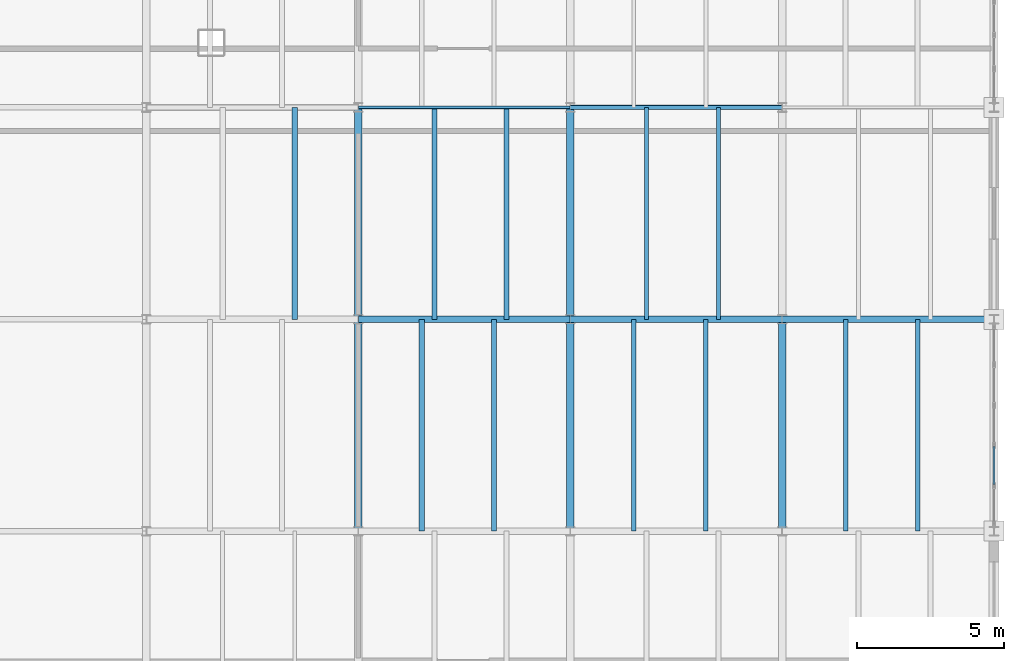
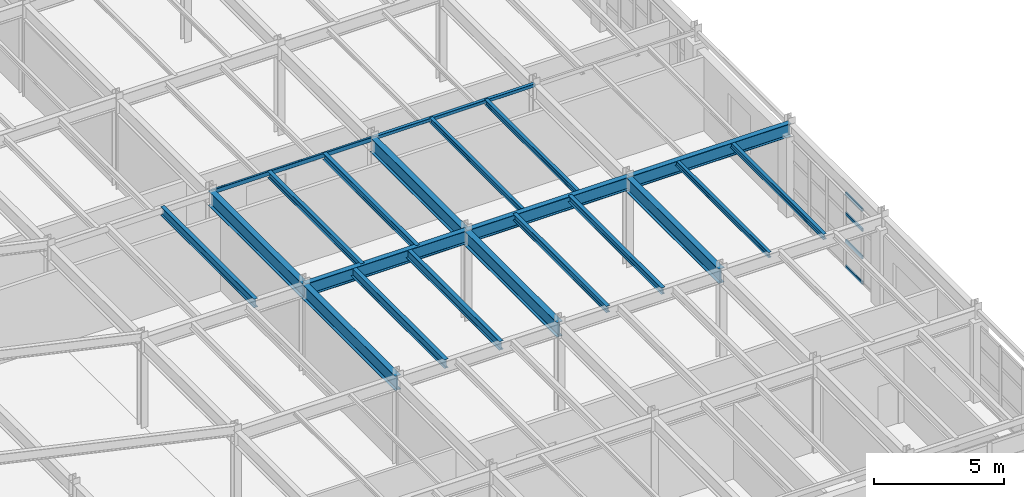
# One storey, part 96 of 137: 21 beams, 4 members, 1 element without a shape of its own.
"""IFC4 building model written with IfcOpenShell, lengths in metres."""

import ifcopenshell
import ifcopenshell.guid

model = None  # the IFC model being written
_history = None  # IfcOwnerHistory: only IFC2X3 demands one
_inside = {}  # id of a spatial element -> (the spatial element, [elements in it])
_under = {}  # id of a project, library or spatial element -> (it, [spatial elements below it])
_declared = {}  # id of a project -> (the project, [libraries it declares])
_typed = {}  # id of a type object -> (the type object, [elements of that type])
_made_of = {}  # id of a material, layer set ... -> (it, [elements and type objects made of it])


def new_model(schema):
    """Start an empty IFC model of exactly this schema.

    Asked for "IFC4X3", IfcOpenShell would pick the latest addendum, in which some entities
    have other attributes; the version numbers below select the first issue.
    IFC2X3 requires an IfcOwnerHistory on every rooted entity: one is made here for all.
    """
    global model, _history
    if schema == "IFC4X3":
        model = ifcopenshell.file(schema_version=(4, 3, 0, 0))
    else:
        model = ifcopenshell.file(schema=schema)
    _inside.clear()
    _under.clear()
    _declared.clear()
    _typed.clear()
    _made_of.clear()
    _history = None
    if model.schema == "IFC2X3":
        org = make("IfcOrganization", Name="unknown")
        user = make(
            "IfcPersonAndOrganization",
            ThePerson=make("IfcPerson", FamilyName="unknown"),
            TheOrganization=org,
        )
        app = make(
            "IfcApplication",
            ApplicationDeveloper=org,
            Version="unknown",
            ApplicationFullName="unknown",
            ApplicationIdentifier="unknown",
        )
        _history = make(
            "IfcOwnerHistory",
            OwningUser=user,
            OwningApplication=app,
            ChangeAction="ADDED",
            CreationDate=0,
        )
    return model


def make(cls, **values):
    """One entity of the class cls with the attributes given. An attribute that is None is left unset."""
    return model.create_entity(
        cls, **{name: value for name, value in values.items() if value is not None}
    )


def rooted(cls, **values):
    """An entity with a GlobalId (a new one), such as an element, a storey or a relation."""
    return make(cls, GlobalId=ifcopenshell.guid.new(), OwnerHistory=_history, **values)


def si_unit(unit_type, name, prefix=None):
    """IfcSIUnit, for example si_unit("LENGTHUNIT", "METRE", prefix="MILLI")."""
    return make("IfcSIUnit", UnitType=unit_type, Prefix=prefix, Name=name)


def assignment(units):
    """IfcUnitAssignment: the units of a project."""
    return None if units is None else make("IfcUnitAssignment", Units=units)


def point(xyz):
    """IfcCartesianPoint."""
    return None if xyz is None else make("IfcCartesianPoint", Coordinates=xyz)


def direction(xyz):
    """IfcDirection."""
    return None if xyz is None else make("IfcDirection", DirectionRatios=xyz)


def frame(location, z_axis=None, x_axis=None):
    """IfcAxis2Placement3D, a coordinate frame: its origin and axes. An axis left out is left unset."""
    return make(
        "IfcAxis2Placement3D",
        Location=point(location),
        Axis=direction(z_axis),
        RefDirection=direction(x_axis),
    )


def frame_2d(location, x_axis=None):
    """IfcAxis2Placement2D, a coordinate frame in the plane: its origin and x axis."""
    return make(
        "IfcAxis2Placement2D", Location=point(location), RefDirection=direction(x_axis)
    )


def origin():
    """The frame at (0, 0, 0) with its axes left unset."""
    return frame((0.0, 0.0, 0.0))


def origin_2d():
    """The frame at (0, 0) in the plane with its x axis left unset."""
    return frame_2d((0.0, 0.0))


def place(relative_to, where):
    """IfcLocalPlacement: puts the frame where relative to a parent placement (None: the world)."""
    return make(
        "IfcLocalPlacement", PlacementRelTo=relative_to, RelativePlacement=where
    )


def context(
    kind, dimensions, precision=None, world=None, true_north=None, identifier=None
):
    """IfcGeometricRepresentationContext, for example the 3D "Model" context."""
    return make(
        "IfcGeometricRepresentationContext",
        ContextIdentifier=identifier,
        ContextType=kind,
        CoordinateSpaceDimension=dimensions,
        Precision=precision,
        WorldCoordinateSystem=world,
        TrueNorth=true_north,
    )


def subcontext(parent, identifier, kind, view, scale=None):
    """IfcGeometricRepresentationSubContext, for example "Body" below "Model"."""
    return make(
        "IfcGeometricRepresentationSubContext",
        ContextIdentifier=identifier,
        ContextType=kind,
        ParentContext=parent,
        TargetScale=scale,
        TargetView=view,
    )


def project(units=None, contexts=None):
    """IfcProject with its units and contexts."""
    return rooted(
        "IfcProject",
        Name="project",
        RepresentationContexts=contexts,
        UnitsInContext=assignment(units),
    )


def spatial(cls, under=None, at=None, **own):
    """A site, building, storey or space (cls), placed at a placement, below another one or the project."""
    s = rooted(cls, ObjectPlacement=at, **own)
    if under is not None:
        _under.setdefault(under.id(), (under, []))[1].append(s)
    return s


def profile(cls, at=None, kind="AREA", **sizes):
    """A parametric profile (cls). Its sizes go by their IFC names, for example OverallWidth=200.0."""
    return make(cls, ProfileType=kind, Position=at, **sizes)


def hollow_rectangle(**sizes):
    """IfcRectangleHollowProfileDef."""
    return profile("IfcRectangleHollowProfileDef", **sizes)


def i_section(**sizes):
    """IfcIShapeProfileDef."""
    return profile("IfcIShapeProfileDef", **sizes)


def extrude(swept, where, along, depth):
    """IfcExtrudedAreaSolid: the profile swept, set in the frame where, extruded along a direction by depth."""
    return make(
        "IfcExtrudedAreaSolid",
        SweptArea=swept,
        Position=where,
        ExtrudedDirection=direction(along),
        Depth=depth,
    )


def shape(context_of_items, identifier, shape_type, items):
    """IfcShapeRepresentation: the items that make up one representation, for example the "Body"."""
    return make(
        "IfcShapeRepresentation",
        ContextOfItems=context_of_items,
        RepresentationIdentifier=identifier,
        RepresentationType=shape_type,
        Items=items,
    )


def material(Name=None, Category=None):
    """IfcMaterial."""
    return make("IfcMaterial", Name=Name, Category=Category)


def layer(
    of_material, thickness, ventilated=None, Name=None, Category=None, Priority=None
):
    """IfcMaterialLayer: one layer of a wall or slab, of a material (None: an air gap)."""
    return make(
        "IfcMaterialLayer",
        Material=of_material,
        LayerThickness=thickness,
        IsVentilated=ventilated,
        Name=Name,
        Category=Category,
        Priority=Priority,
    )


def layer_set(layers, Name=None):
    """IfcMaterialLayerSet."""
    return make("IfcMaterialLayerSet", MaterialLayers=layers, LayerSetName=Name)


def material_profile(
    of_material, cross_section, Name=None, Category=None, Priority=None
):
    """IfcMaterialProfile: a cross section and its material."""
    return make(
        "IfcMaterialProfile",
        Name=Name,
        Material=of_material,
        Profile=cross_section,
        Priority=Priority,
        Category=Category,
    )


def profile_set(profiles, Name=None, composite=None):
    """IfcMaterialProfileSet."""
    return make(
        "IfcMaterialProfileSet",
        Name=Name,
        MaterialProfiles=profiles,
        CompositeProfile=composite,
    )


def made_of(thing, what):
    """Note that an element or type object is made of a material, layer set ...; save() writes the relation."""
    if what is not None:
        _made_of.setdefault(what.id(), (what, []))[1].append(thing)
    return thing


def type_object(cls, material=None, **own):
    """A type object (cls), such as IfcWallType, which elements share."""
    return made_of(rooted(cls, **own), material)


def element(
    cls,
    number,
    at=None,
    inside=None,
    cuts=None,
    type_object=None,
    material=None,
    context=None,
    identifier="Body",
    shape_type=None,
    held_by="IfcProductDefinitionShape",
    body=None,
    shapes=None,
    **own,
):
    """One element of the class cls, such as IfcWall. Its Tag is "e" and its number.

    at: its placement. inside: the storey or other place that contains it. cuts: it is an
    opening in that element (IfcRelVoidsElement). A single representation is given by context,
    identifier, shape_type and body (its items); several are given by shapes. held_by: the class
    of the entity that holds the representations. save() writes the other relations.
    """
    e = rooted(cls, Tag="e%d" % number, ObjectPlacement=at, **own)
    if body is not None:
        shapes = [shape(context, identifier, shape_type, body)]
    if shapes is not None:
        e.Representation = make(held_by, Representations=shapes)
    if inside is not None:
        _inside.setdefault(inside.id(), (inside, []))[1].append(e)
    if cuts is not None:
        rooted(
            "IfcRelVoidsElement", RelatingBuildingElement=cuts, RelatedOpeningElement=e
        )
    if type_object is not None:
        _typed.setdefault(type_object.id(), (type_object, []))[1].append(e)
    return made_of(e, material)


def aggregate(whole, parts):
    """IfcRelAggregates: a whole, such as a stair, and the parts it consists of."""
    return rooted("IfcRelAggregates", RelatingObject=whole, RelatedObjects=parts)


def save(model, path):
    """Write the relations noted so far, then the file.

    IfcRelAggregates (storeys below a building ...), IfcRelContainedInSpatialStructure (elements
    in a storey), IfcRelDefinesByType, IfcRelAssociatesMaterial and IfcRelDeclares: one each for
    every whole, place, type object, material and project.
    """
    for whole, parts in _under.values():
        aggregate(whole, parts)
    for where, things in _inside.values():
        rooted(
            "IfcRelContainedInSpatialStructure",
            RelatedElements=things,
            RelatingStructure=where,
        )
    for kind, things in _typed.values():
        rooted("IfcRelDefinesByType", RelatedObjects=things, RelatingType=kind)
    for what, things in _made_of.values():
        rooted("IfcRelAssociatesMaterial", RelatedObjects=things, RelatingMaterial=what)
    for by, libraries in _declared.values():
        rooted("IfcRelDeclares", RelatingContext=by, RelatedDefinitions=libraries)
    model.write(path)


model = new_model("IFC4")

# Units and contexts
model_context = context("Model", 3, precision=1e-05, world=origin(), true_north=direction((0.0, 1.0)))
body_context = subcontext(model_context, "Body", "Model", "MODEL_VIEW")
ifc_project = project(units=[si_unit("LENGTHUNIT", "METRE"), si_unit("AREAUNIT", "SQUARE_METRE"), si_unit("VOLUMEUNIT", "CUBIC_METRE"), si_unit("PLANEANGLEUNIT", "RADIAN"), si_unit("MASSUNIT", "GRAM", prefix="KILO")], contexts=[model_context])

# Site, building, storey
site_placement = place(None, origin())
site = spatial("IfcSite", under=ifc_project, at=site_placement, CompositionType="ELEMENT")
building_placement = place(site_placement, origin())
building = spatial("IfcBuilding", under=site, at=building_placement, Name="Kemerveld Promenade Tramway Depot", CompositionType="ELEMENT")
storey_placement = place(building_placement, frame((0.0, 0.0, 5.39990234375)))
storey = spatial("IfcBuildingStorey", under=building, at=storey_placement, Name="L01", CompositionType="ELEMENT", Elevation=5.39990234375)

# Beams
ifc_material_1 = material(Name="Steel S355", Category="steel")
ifc_material_profile_1 = material_profile(ifc_material_1, i_section(OverallWidth=0.25439453125, OverallDepth=0.6875, WebThickness=0.01318359375, FlangeThickness=0.02099609375, FilletRadius=0.01513671875, at=origin_2d()), Name="686x254x152 UB")
ifc_profile_set_1 = profile_set([ifc_material_profile_1], Name="Steel S355")
beam_type_1 = type_object("IfcBeamType", Name="BM-G03", PredefinedType="BEAM", material=ifc_profile_set_1)
beam_1_placement = place(storey_placement, frame((194.39990234375, 14.39990234375, 3.856201171875), z_axis=(0.0, 1.0, 0.0), x_axis=(-1.0, 0.0, 0.0)))
element("IfcBeam", 1, at=beam_1_placement, inside=storey, type_object=beam_type_1, Name="BMY-L01-28-C-D", PredefinedType="BEAM", context=body_context, shape_type="SweptSolid", body=[
    extrude(i_section(OverallWidth=0.25439453125, OverallDepth=0.6875, WebThickness=0.01318359375, FlangeThickness=0.02099609375, FilletRadius=0.01513671875, at=origin_2d()), origin(), (0.0, 0.0, 1.0), 7.2001953125),
])
beam_2_placement = place(storey_placement, frame((194.39990234375, 21.60009765625, 3.856201171875), z_axis=(0.0, 1.0, 0.0), x_axis=(-1.0, 0.0, 0.0)))
element("IfcBeam", 2, at=beam_2_placement, inside=storey, type_object=beam_type_1, Name="BMY-L01-28-D-E", PredefinedType="BEAM", context=body_context, shape_type="SweptSolid", body=[
    extrude(i_section(OverallWidth=0.25439453125, OverallDepth=0.6875, WebThickness=0.01318359375, FlangeThickness=0.02099609375, FilletRadius=0.01513671875, at=origin_2d()), origin(), (0.0, 0.0, 1.0), 7.199951171875),
])
beam_3_placement = place(storey_placement, frame((201.60009765625, 14.39990234375, 3.856201171875), z_axis=(0.0, 1.0, 0.0), x_axis=(-1.0, 0.0, 0.0)))
element("IfcBeam", 3, at=beam_3_placement, inside=storey, type_object=beam_type_1, Name="BMY-L01-29-C-D", PredefinedType="BEAM", context=body_context, shape_type="SweptSolid", body=[
    extrude(i_section(OverallWidth=0.25439453125, OverallDepth=0.6875, WebThickness=0.01318359375, FlangeThickness=0.02099609375, FilletRadius=0.01513671875, at=origin_2d()), origin(), (0.0, 0.0, 1.0), 7.2001953125),
])
beam_4_placement = place(storey_placement, frame((201.60009765625, 21.60009765625, 3.856201171875), z_axis=(0.0, 1.0, 0.0), x_axis=(-1.0, 0.0, 0.0)))
element("IfcBeam", 4, at=beam_4_placement, inside=storey, type_object=beam_type_1, Name="BMY-L01-29-D-E", PredefinedType="BEAM", context=body_context, shape_type="SweptSolid", body=[
    extrude(i_section(OverallWidth=0.25439453125, OverallDepth=0.6875, WebThickness=0.01318359375, FlangeThickness=0.02099609375, FilletRadius=0.01513671875, at=origin_2d()), origin(), (0.0, 0.0, 1.0), 7.199951171875),
])
beam_5_placement = place(storey_placement, frame((208.800048828125, 14.39990234375, 3.856201171875), z_axis=(0.0, 1.0, 0.0), x_axis=(-1.0, 0.0, 0.0)))
element("IfcBeam", 5, at=beam_5_placement, inside=storey, type_object=beam_type_1, Name="BMY-L01-30-C-D", PredefinedType="BEAM", context=body_context, shape_type="SweptSolid", body=[
    extrude(i_section(OverallWidth=0.25439453125, OverallDepth=0.6875, WebThickness=0.01318359375, FlangeThickness=0.02099609375, FilletRadius=0.01513671875, at=origin_2d()), origin(), (0.0, 0.0, 1.0), 7.2001953125),
])
ifc_material_profile_2 = material_profile(ifc_material_1, i_section(OverallWidth=0.22900390625, OverallDepth=0.6123046875, WebThickness=0.011962890625, FlangeThickness=0.01953125, FilletRadius=0.0126953125, at=origin_2d()), Name="610x229x125 UB")
ifc_profile_set_2 = profile_set([ifc_material_profile_2], Name="Steel S355")
beam_type_2 = type_object("IfcBeamType", Name="BM-G04", PredefinedType="BEAM", material=ifc_profile_set_2)
beam_6_placement = place(storey_placement, frame((194.39990234375, 21.60009765625, 3.89404296875), z_axis=(1.0, 0.0, 0.0), x_axis=(0.0, 1.0, 0.0)))
element("IfcBeam", 6, at=beam_6_placement, inside=storey, type_object=beam_type_2, Name="BMX-L01-28-29-D", PredefinedType="BEAM", context=body_context, shape_type="SweptSolid", body=[
    extrude(i_section(OverallWidth=0.22900390625, OverallDepth=0.6123046875, WebThickness=0.011962890625, FlangeThickness=0.01953125, FilletRadius=0.0126953125, at=origin_2d()), origin(), (0.0, 0.0, 1.0), 7.2001953125),
])
for number, where, z_axis, x_axis, name in (
    (7, (201.60009765625, 21.60009765625, 3.89404296875), (1.0, 0.0, 0.0), (0.0, 1.0, 0.0), "BMX-L01-29-30-D"),
    (8, (208.800048828125, 21.60009765625, 3.89404296875), (1.0, 0.0, 0.0), (0.0, 1.0, 0.0), "BMX-L01-30-31-D"),
):
    element("IfcBeam", number, at=place(storey_placement, frame(where, z_axis=z_axis, x_axis=x_axis)), inside=storey, type_object=beam_type_2, Name=name, PredefinedType="BEAM", context=body_context, shape_type="SweptSolid", body=[
        extrude(i_section(OverallWidth=0.22900390625, OverallDepth=0.6123046875, WebThickness=0.011962890625, FlangeThickness=0.01953125, FilletRadius=0.0126953125, at=origin_2d()), origin(), (0.0, 0.0, 1.0), 7.199951171875),
    ])
ifc_material_profile_3 = material_profile(ifc_material_1, i_section(OverallWidth=0.165771484375, OverallDepth=0.306640625, WebThickness=0.006591796875, FlangeThickness=0.01171875, FilletRadius=0.0087890625, at=origin_2d()), Name="305x165x46 UB")
ifc_profile_set_3 = profile_set([ifc_material_profile_3], Name="Steel S355")
beam_type_3 = type_object("IfcBeamType", Name="BM-J01", PredefinedType="JOIST", material=ifc_profile_set_3)
for number, where, z_axis, x_axis, name in (
    (9, (196.991943359375, 21.60009765625, 4.046875), (0.0, 1.0, 0.0), (-1.0, 0.0, 0.0), "JST-L01-28-D-1"),
    (10, (199.43994140625, 21.60009765625, 4.046875), (0.0, 1.0, 0.0), (-1.0, 0.0, 0.0), "JST-L01-28-D-2"),
):
    element("IfcBeam", number, at=place(storey_placement, frame(where, z_axis=z_axis, x_axis=x_axis)), inside=storey, type_object=beam_type_3, Name=name, PredefinedType="JOIST", context=body_context, shape_type="SweptSolid", body=[
        extrude(i_section(OverallWidth=0.165771484375, OverallDepth=0.306640625, WebThickness=0.006591796875, FlangeThickness=0.01171875, FilletRadius=0.0087890625, at=origin_2d()), origin(), (0.0, 0.0, 1.0), 7.199951171875),
    ])
for number, where, z_axis, x_axis, name in (
    (11, (203.760009765625, 14.39990234375, 4.046875), (0.0, 1.0, 0.0), (-1.0, 0.0, 0.0), "JST-L01-29-C-1"),
    (12, (206.2080078125, 14.39990234375, 4.046875), (0.0, 1.0, 0.0), (-1.0, 0.0, 0.0), "JST-L01-29-C-2"),
):
    element("IfcBeam", number, at=place(storey_placement, frame(where, z_axis=z_axis, x_axis=x_axis)), inside=storey, type_object=beam_type_3, Name=name, PredefinedType="JOIST", context=body_context, shape_type="SweptSolid", body=[
        extrude(i_section(OverallWidth=0.165771484375, OverallDepth=0.306640625, WebThickness=0.006591796875, FlangeThickness=0.01171875, FilletRadius=0.0087890625, at=origin_2d()), origin(), (0.0, 0.0, 1.0), 7.2001953125),
    ])
ifc_material_profile_4 = material_profile(ifc_material_1, i_section(OverallWidth=0.146484375, OverallDepth=0.256103515625, WebThickness=0.00634765625, FlangeThickness=0.010986328125, FilletRadius=0.007568359375, at=origin_2d()), Name="254x146x37 UB")
ifc_profile_set_4 = profile_set([ifc_material_profile_4], Name="Steel S355")
beam_type_4 = type_object("IfcBeamType", Name="BM-J02", PredefinedType="JOIST", material=ifc_profile_set_4)
for number, where, z_axis, x_axis, name in (
    (13, (204.19189453125, 21.60009765625, 4.072021484375), (0.0, 1.0, 0.0), (-1.0, 0.0, 0.0), "JST-L01-29-D-1"),
    (14, (206.639892578125, 21.60009765625, 4.072021484375), (0.0, 1.0, 0.0), (-1.0, 0.0, 0.0), "JST-L01-29-D-2"),
):
    element("IfcBeam", number, at=place(storey_placement, frame(where, z_axis=z_axis, x_axis=x_axis)), inside=storey, type_object=beam_type_4, Name=name, PredefinedType="JOIST", context=body_context, shape_type="SweptSolid", body=[
        extrude(i_section(OverallWidth=0.146484375, OverallDepth=0.256103515625, WebThickness=0.00634765625, FlangeThickness=0.010986328125, FilletRadius=0.007568359375, at=origin_2d()), origin(), (0.0, 0.0, 1.0), 7.199951171875),
    ])
for number, where, z_axis, x_axis, name in (
    (15, (210.9599609375, 14.39990234375, 4.072021484375), (0.0, 1.0, 0.0), (-1.0, 0.0, 0.0), "JST-L01-30-C-1"),
    (16, (213.407958984375, 14.39990234375, 4.072021484375), (0.0, 1.0, 0.0), (-1.0, 0.0, 0.0), "JST-L01-30-C-2"),
):
    element("IfcBeam", number, at=place(storey_placement, frame(where, z_axis=z_axis, x_axis=x_axis)), inside=storey, type_object=beam_type_4, Name=name, PredefinedType="JOIST", context=body_context, shape_type="SweptSolid", body=[
        extrude(i_section(OverallWidth=0.146484375, OverallDepth=0.256103515625, WebThickness=0.00634765625, FlangeThickness=0.010986328125, FilletRadius=0.007568359375, at=origin_2d()), origin(), (0.0, 0.0, 1.0), 7.2001953125),
    ])
ifc_material_profile_5 = material_profile(ifc_material_1, i_section(OverallWidth=0.1787109375, OverallDepth=0.409423828125, WebThickness=0.0087890625, FlangeThickness=0.014404296875, FilletRadius=0.01025390625, at=origin_2d()), Name="406x178x67 UB")
ifc_profile_set_5 = profile_set([ifc_material_profile_5], Name="Steel S355")
beam_type_5 = type_object("IfcBeamType", Name="BM-J05", PredefinedType="JOIST", material=ifc_profile_set_5)
beam_7_placement = place(storey_placement, frame((192.239990234375, 21.60009765625, 3.995361328125), z_axis=(0.0, 1.0, 0.0), x_axis=(-1.0, 0.0, 0.0)))
element("IfcBeam", 17, at=beam_7_placement, inside=storey, type_object=beam_type_5, Name="JST-L01-27-D-2", PredefinedType="JOIST", context=body_context, shape_type="SweptSolid", body=[
    extrude(i_section(OverallWidth=0.1787109375, OverallDepth=0.409423828125, WebThickness=0.0087890625, FlangeThickness=0.014404296875, FilletRadius=0.01025390625, at=origin_2d()), origin(), (0.0, 0.0, 1.0), 7.199951171875),
])
for number, where, z_axis, x_axis, name in (
    (18, (196.56005859375, 14.39990234375, 3.995361328125), (0.0, 1.0, 0.0), (-1.0, 0.0, 0.0), "JST-L01-28-C-1"),
    (19, (199.008056640625, 14.39990234375, 3.995361328125), (0.0, 1.0, 0.0), (-1.0, 0.0, 0.0), "JST-L01-28-C-2"),
):
    element("IfcBeam", number, at=place(storey_placement, frame(where, z_axis=z_axis, x_axis=x_axis)), inside=storey, type_object=beam_type_5, Name=name, PredefinedType="JOIST", context=body_context, shape_type="SweptSolid", body=[
        extrude(i_section(OverallWidth=0.1787109375, OverallDepth=0.409423828125, WebThickness=0.0087890625, FlangeThickness=0.014404296875, FilletRadius=0.01025390625, at=origin_2d()), origin(), (0.0, 0.0, 1.0), 7.2001953125),
    ])
ifc_material_profile_6 = material_profile(ifc_material_1, hollow_rectangle(XDim=0.10009765625, YDim=0.199951171875, WallThickness=0.008056640625, InnerFilletRadius=0.00390625, OuterFilletRadius=0.011962890625, at=origin_2d()), Name="200x100x8.0 RHS")
ifc_profile_set_6 = profile_set([ifc_material_profile_6], Name="Steel S355")
beam_type_6 = type_object("IfcBeamType", Name="BM-SP3", PredefinedType="SPANDREL", material=ifc_profile_set_6)
beam_8_placement = place(storey_placement, frame((194.39990234375, 28.800048828125, 4.10009765625), z_axis=(1.0, 0.0, 0.0), x_axis=(0.0, 1.0, 0.0)))
element("IfcBeam", 20, at=beam_8_placement, inside=storey, type_object=beam_type_6, Name="BMX-L01-28-29-E", PredefinedType="SPANDREL", context=body_context, shape_type="SweptSolid", body=[
    extrude(hollow_rectangle(XDim=0.10009765625, YDim=0.199951171875, WallThickness=0.008056640625, InnerFilletRadius=0.00390625, OuterFilletRadius=0.011962890625, at=origin_2d()), origin(), (0.0, 0.0, 1.0), 7.2001953125),
])
ifc_material_profile_7 = material_profile(ifc_material_1, hollow_rectangle(XDim=0.14990234375, YDim=0.14990234375, WallThickness=0.008056640625, InnerFilletRadius=0.00390625, OuterFilletRadius=0.011962890625, at=origin_2d()), Name="150x150x8.0 SHS")
ifc_profile_set_7 = profile_set([ifc_material_profile_7], Name="Steel S355")
beam_type_7 = type_object("IfcBeamType", Name="BM-SP4", PredefinedType="SPANDREL", material=ifc_profile_set_7)
beam_9_placement = place(storey_placement, frame((201.60009765625, 28.800048828125, 4.125), z_axis=(1.0, 0.0, 0.0), x_axis=(0.0, 1.0, 0.0)))
element("IfcBeam", 21, at=beam_9_placement, inside=storey, type_object=beam_type_7, Name="BMX-L01-29-30-E", PredefinedType="SPANDREL", context=body_context, shape_type="SweptSolid", body=[
    extrude(hollow_rectangle(XDim=0.14990234375, YDim=0.14990234375, WallThickness=0.008056640625, InnerFilletRadius=0.00390625, OuterFilletRadius=0.011962890625, at=origin_2d()), origin(), (0.0, 0.0, 1.0), 7.199951171875),
])

# Curtain wall, members
ifc_material_2 = material(Name="Bronze anodised aluminium and solar glass", Category="aluminium")
ifc_layer = layer(ifc_material_2, 0.199951171875)
ifc_layer_set = layer_set([ifc_layer], Name="CW-SYS-08")
curtain_wall_type = type_object("IfcCurtainWallType", Name="CW-SYS-08", PredefinedType="USERDEFINED", material=ifc_layer_set)
curtain_wall_placement = place(storey_placement, origin())
curtain_wall = element("IfcCurtainWall", 22, at=curtain_wall_placement, inside=storey, type_object=curtain_wall_type, Name="CW-L01-V2E-05", ObjectType="GLAZED_CURTAIN_WALL", PredefinedType="USERDEFINED")
ifc_material_3 = material(Name="Bronze anodised aluminium", Category="aluminium")
ifc_material_profile_8 = material_profile(ifc_material_3, hollow_rectangle(XDim=0.06494140625, YDim=0.14990234375, WallThickness=0.00439453125, InnerFilletRadius=0.001953125, OuterFilletRadius=0.00439453125, at=origin_2d()), Name="CW-TRN-150x65")
ifc_profile_set_8 = profile_set([ifc_material_profile_8], Name="Bronze anodised aluminium")
member_type = type_object("IfcMemberType", Name="CW-TRN-B", PredefinedType="USERDEFINED", material=ifc_profile_set_8)
member_1_placement = place(storey_placement, frame((216.0, 17.278076171875, 0.03271484375), z_axis=(0.0, -1.0, 0.0), x_axis=(1.0, 0.0, 0.0)))
member_1 = element("IfcMember", 23, at=member_1_placement, type_object=member_type, Name="CW08 transom 4.1", ObjectType="TRANSOM", PredefinedType="USERDEFINED", context=body_context, shape_type="SweptSolid", body=[
    extrude(hollow_rectangle(XDim=0.06494140625, YDim=0.14990234375, WallThickness=0.00439453125, InnerFilletRadius=0.001953125, OuterFilletRadius=0.00439453125, at=origin_2d()), origin(), (0.0, 0.0, 1.0), 1.294189453125),
])
member_2_placement = place(storey_placement, frame((216.0, 17.278076171875, 1.22216796875), z_axis=(0.0, -1.0, 0.0), x_axis=(1.0, 0.0, 0.0)))
member_2 = element("IfcMember", 24, at=member_2_placement, type_object=member_type, Name="CW08 transom 4.2", ObjectType="TRANSOM", PredefinedType="USERDEFINED", context=body_context, shape_type="SweptSolid", body=[
    extrude(hollow_rectangle(XDim=0.06494140625, YDim=0.14990234375, WallThickness=0.00439453125, InnerFilletRadius=0.001953125, OuterFilletRadius=0.00439453125, at=origin_2d()), origin(), (0.0, 0.0, 1.0), 1.294189453125),
])
member_3_placement = place(storey_placement, frame((216.0, 17.278076171875, 2.51513671875), z_axis=(0.0, -1.0, 0.0), x_axis=(1.0, 0.0, 0.0)))
member_3 = element("IfcMember", 25, at=member_3_placement, type_object=member_type, Name="CW08 transom 4.3", ObjectType="TRANSOM", PredefinedType="USERDEFINED", context=body_context, shape_type="SweptSolid", body=[
    extrude(hollow_rectangle(XDim=0.06494140625, YDim=0.14990234375, WallThickness=0.00439453125, InnerFilletRadius=0.001953125, OuterFilletRadius=0.00439453125, at=origin_2d()), origin(), (0.0, 0.0, 1.0), 1.294189453125),
])
member_4_placement = place(storey_placement, frame((216.0, 17.278076171875, 3.460205078125), z_axis=(0.0, -1.0, 0.0), x_axis=(1.0, 0.0, 0.0)))
member_4 = element("IfcMember", 26, at=member_4_placement, type_object=member_type, Name="CW08 transom 4.4", ObjectType="TRANSOM", PredefinedType="USERDEFINED", context=body_context, shape_type="SweptSolid", body=[
    extrude(hollow_rectangle(XDim=0.06494140625, YDim=0.14990234375, WallThickness=0.00439453125, InnerFilletRadius=0.001953125, OuterFilletRadius=0.00439453125, at=origin_2d()), origin(), (0.0, 0.0, 1.0), 1.294189453125),
])
aggregate(curtain_wall, [member_1, member_2, member_3, member_4])

save(model, "model.ifc")
